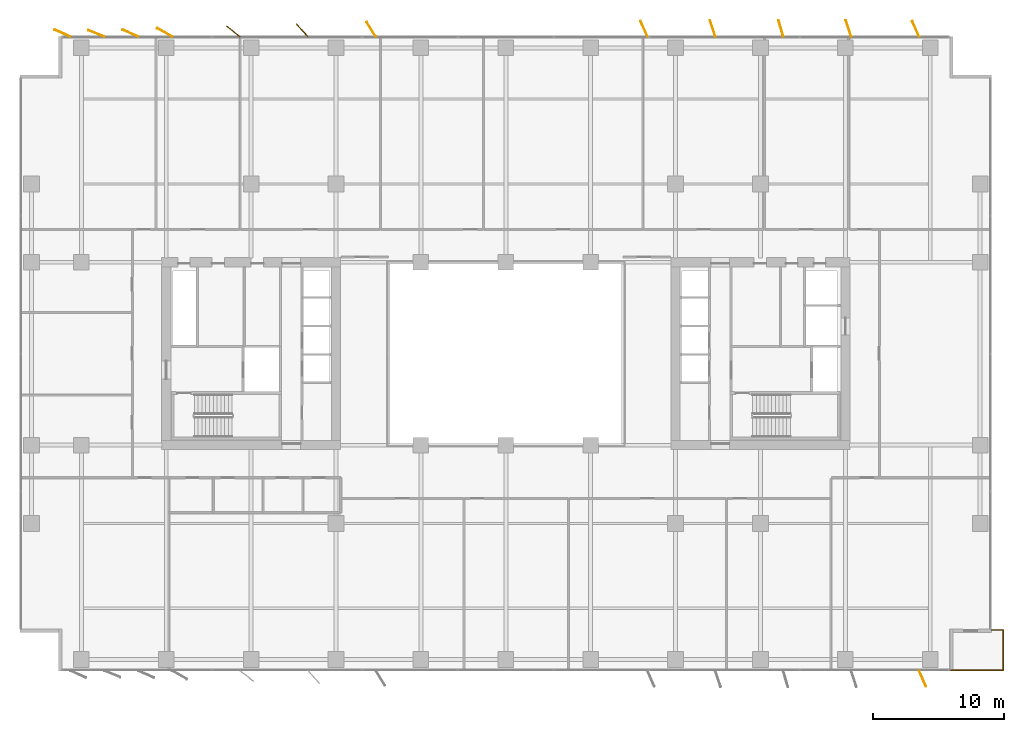
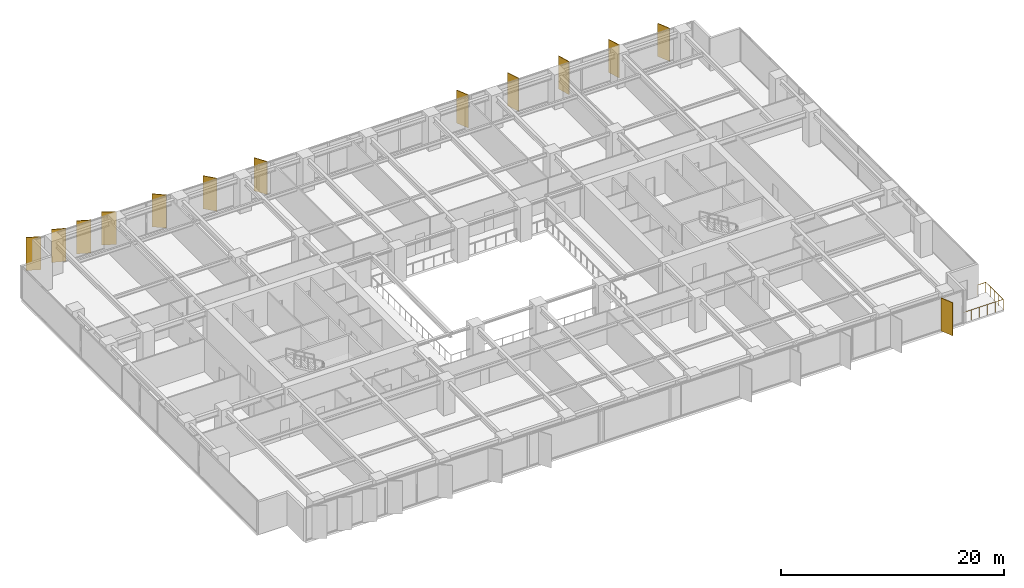
# One storey, part 20 of 20: 13 shading devices, 1 railing.
"""IFC4 building model written with IfcOpenShell, lengths in metres."""

from ifc_helpers import new_model, si_unit, direction, frame, origin, origin_2d, place, context, subcontext, project, spatial, rectangle, circle, extrude, material, layer, layer_set, type_object, element, save


model = new_model("IFC4")

# Units and contexts
model_context = context("Model", 3, precision=1e-05, world=origin(), true_north=direction((0.0, 1.0)))
body_context = subcontext(model_context, "Body", "Model", "MODEL_VIEW")
ifc_project = project(units=[si_unit("LENGTHUNIT", "METRE"), si_unit("AREAUNIT", "SQUARE_METRE"), si_unit("VOLUMEUNIT", "CUBIC_METRE"), si_unit("PLANEANGLEUNIT", "RADIAN"), si_unit("MASSUNIT", "GRAM", prefix="KILO")], contexts=[model_context])

# Site, building, storey
site_placement = place(None, origin())
site = spatial("IfcSite", under=ifc_project, at=site_placement, CompositionType="ELEMENT")
building_placement = place(site_placement, origin())
building = spatial("IfcBuilding", under=site, at=building_placement, Name="Putna Gate Headquarters", CompositionType="ELEMENT")
storey_placement = place(building_placement, frame((0.0, 0.0, 120.199951171875)))
storey = spatial("IfcBuildingStorey", under=building, at=storey_placement, Name="L29", CompositionType="ELEMENT", Elevation=120.199951171875)

# Railing
ifc_material_1 = material(Name="Anodised bronze steel and laminated glass guardrail", Category="steel")
railing_type = type_object("IfcRailingType", Name="RAIL-TERR-GUARD-1150", PredefinedType="GUARDRAIL", material=ifc_material_1)
railing_placement = place(storey_placement, frame((73.0, 1.760009765625, 0.0)))
element("IfcRailing", 1, at=railing_placement, inside=storey, type_object=railing_type, Name="L29 Spiral Sky Terrace Guardrail SE", PredefinedType="GUARDRAIL", context=body_context, shape_type="SweptSolid", body=[
    extrude(circle(Radius=0.02392578125, at=origin_2d()), frame((0.0, 0.0, 1.1259765625), z_axis=(1.0, 0.0, 0.0), x_axis=(0.0, 1.0, 0.0)), (0.0, 0.0, 1.0), 4.090087890625),
    extrude(circle(Radius=0.02392578125, at=origin_2d()), frame((4.090087890625, 0.0, 1.1259765625), z_axis=(0.0, 1.0, 0.0), x_axis=(-1.0, 0.0, 0.0)), (0.0, 0.0, 1.0), 3.080078125),
    extrude(circle(Radius=0.02392578125, at=origin_2d()), frame((4.090087890625, 3.080078125, 1.1259765625), z_axis=(-1.0, 0.0, 0.0), x_axis=(0.0, -1.0, 0.0)), (0.0, 0.0, 1.0), 0.89013671875),
    extrude(circle(Radius=0.02099609375, at=origin_2d()), origin(), (0.0, 0.0, 1.0), 1.101806640625),
    extrude(circle(Radius=0.02099609375, at=origin_2d()), frame((0.818115234375, 0.0, 0.0)), (0.0, 0.0, 1.0), 1.101806640625),
    extrude(circle(Radius=0.02099609375, at=origin_2d()), frame((1.635986328125, 0.0, 0.0)), (0.0, 0.0, 1.0), 1.101806640625),
    extrude(circle(Radius=0.02099609375, at=origin_2d()), frame((2.4541015625, 0.0, 0.0)), (0.0, 0.0, 1.0), 1.101806640625),
    extrude(circle(Radius=0.02099609375, at=origin_2d()), frame((3.27197265625, 0.0, 0.0)), (0.0, 0.0, 1.0), 1.101806640625),
    extrude(circle(Radius=0.02099609375, at=origin_2d()), frame((4.090087890625, 0.0, 0.0)), (0.0, 0.0, 1.0), 1.101806640625),
    extrude(circle(Radius=0.02099609375, at=origin_2d()), frame((4.090087890625, 0.77001953125, 0.0)), (0.0, 0.0, 1.0), 1.101806640625),
    extrude(circle(Radius=0.02099609375, at=origin_2d()), frame((4.090087890625, 1.5400390625, 0.0)), (0.0, 0.0, 1.0), 1.101806640625),
    extrude(circle(Radius=0.02099609375, at=origin_2d()), frame((4.090087890625, 2.31005859375, 0.0)), (0.0, 0.0, 1.0), 1.101806640625),
    extrude(circle(Radius=0.02099609375, at=origin_2d()), frame((4.090087890625, 3.080078125, 0.0)), (0.0, 0.0, 1.0), 1.101806640625),
    extrude(circle(Radius=0.02099609375, at=origin_2d()), frame((3.199951171875, 3.080078125, 0.0)), (0.0, 0.0, 1.0), 1.101806640625),
])

# Shading devices
ifc_material_2 = material(Name="Anodised architectural bronze aluminium fin", Category="aluminium")
ifc_layer = layer(ifc_material_2, 0.06494140625)
ifc_layer_set = layer_set([ifc_layer], Name="Anodised architectural bronze aluminium fin")
shading_device_type = type_object("IfcShadingDeviceType", Name="SHADE-BRONZE-FIN-1320", PredefinedType="USERDEFINED", material=ifc_layer_set)
for number, where, z_axis, x_axis, name in (
    (2, (5.047119140625, 50.543212890625, -0.02001953125), (0.0, 0.0, 1.0), (-0.913687379856, 0.40641773078, 0.0), "L29 Bronze Vertical Shading Fin N1"),
    (3, (7.63818359375, 50.522216796875, -0.02001953125), (0.0, 0.0, 1.0), (-0.927183854567, 0.374606593416, 0.0), "L29 Bronze Vertical Shading Fin N2"),
    (4, (10.2470703125, 50.543212890625, -0.02001953125), (0.0, 0.0, 1.0), (-0.913687379856, 0.40641773078, 0.0), "L29 Bronze Vertical Shading Fin N3"),
    (5, (12.876220703125, 50.601318359375, -0.02001953125), (0.0, 0.0, 1.0), (-0.869322458298, 0.494245347472, 0.0), "L29 Bronze Vertical Shading Fin N4"),
    (6, (18.13037109375, 50.681884765625, -0.02001953125), (0.0, 0.0, 1.0), (-0.787473187632, 0.616348909921, 0.0), "L29 Bronze Vertical Shading Fin N5"),
    (7, (23.408447265625, 50.765380859375, -0.02001953125), (0.0, 0.0, 1.0), (-0.669130606359, 0.743144825477, 0.0), "L29 Bronze Vertical Shading Fin N6"),
    (8, (28.69970703125, 50.83447265625, -0.02001953125), (0.0, 0.0, 1.0), (-0.530659123936, 0.847585331506, 0.0), "L29 Bronze Vertical Shading Fin N7"),
    (9, (49.585693359375, 50.879638671875, -0.02001953125), (0.0, 0.0, 1.0), (-0.400668879095, 0.916222925562, 0.0), "L29 Bronze Vertical Shading Fin N8"),
    (10, (54.84619140625, 50.90283203125, -0.02001953125), (0.0, 0.0, 1.0), (-0.308684994204, 0.951164325631, 0.0), "L29 Bronze Vertical Shading Fin N9"),
    (11, (60.068115234375, 50.909423828125, -0.02001953125), (0.0, 0.0, 1.0), (-0.275637355817, 0.961261695938, 0.0), "L29 Bronze Vertical Shading Fin N10"),
    (12, (65.246337890625, 50.90283203125, -0.02001953125), (0.0, 0.0, 1.0), (-0.308684994204, 0.951164325631, 0.0), "L29 Bronze Vertical Shading Fin N11"),
    (13, (70.914306640625, 1.120361328125, -0.02001953125), (0.0, 0.0, 1.0), (0.400668879095, -0.916222925562, 0.0), "L29 Bronze Vertical Shading Fin S12"),
    (14, (70.385498046875, 50.879638671875, -0.02001953125), (0.0, 0.0, 1.0), (-0.400668879095, 0.916222925562, 0.0), "L29 Bronze Vertical Shading Fin N12"),
):
    element("IfcShadingDevice", number, at=place(storey_placement, frame(where, z_axis=z_axis, x_axis=x_axis)), inside=storey, type_object=shading_device_type, Name=name, ObjectType="FIN", PredefinedType="USERDEFINED", context=body_context, shape_type="SweptSolid", body=[
        extrude(rectangle(XDim=1.320068359375, YDim=0.06494140625, at=origin_2d()), origin(), (0.0, 0.0, 1.0), 3.60498046875),
    ])

save(model, "model.ifc")
